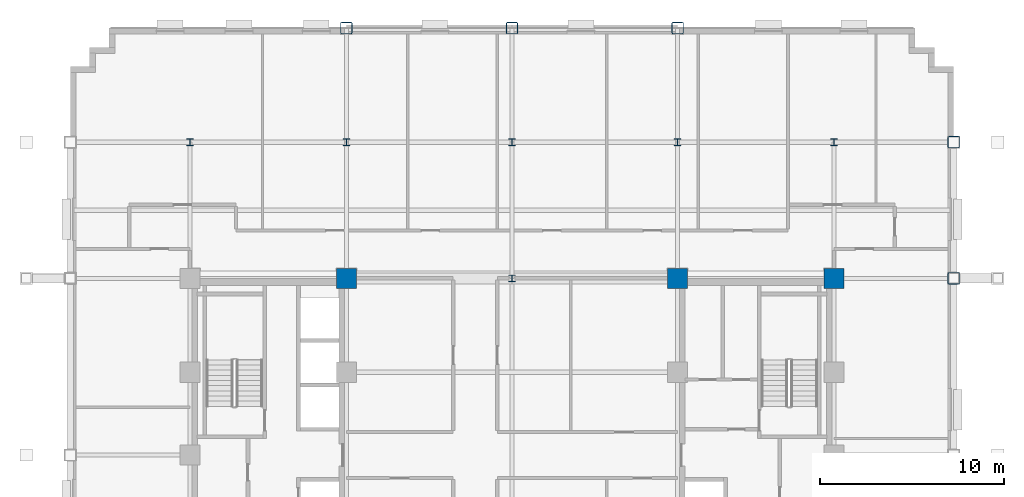
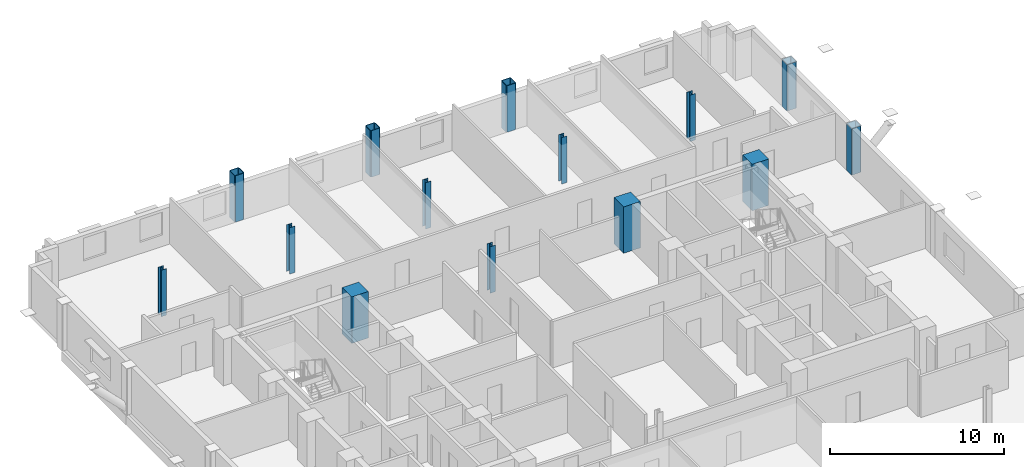
# One storey, part 3 of 14: 14 columns.
"""IFC4 building model written with IfcOpenShell, lengths in metres."""

from ifc_helpers import new_model, si_unit, direction, frame, origin, origin_2d, place, context, subcontext, project, spatial, rectangle, hollow_rectangle, i_section, extrude, material, material_profile, profile_set, type_object, element, save


model = new_model("IFC4")

# Units and contexts
model_context = context("Model", 3, precision=1e-05, world=origin(), true_north=direction((0.0, 1.0)))
body_context = subcontext(model_context, "Body", "Model", "MODEL_VIEW")
ifc_project = project(units=[si_unit("LENGTHUNIT", "METRE"), si_unit("AREAUNIT", "SQUARE_METRE"), si_unit("VOLUMEUNIT", "CUBIC_METRE"), si_unit("PLANEANGLEUNIT", "RADIAN"), si_unit("MASSUNIT", "GRAM", prefix="KILO")], contexts=[model_context])

# Site, building, storey
site_placement = place(None, origin())
site = spatial("IfcSite", under=ifc_project, at=site_placement, CompositionType="ELEMENT")
building_placement = place(site_placement, origin())
building = spatial("IfcBuilding", under=site, at=building_placement, Name="Nuvemarco Arch Tower", CompositionType="ELEMENT")
storey_placement = place(building_placement, frame((0.0, 0.0, 112.89990234375)))
storey = spatial("IfcBuildingStorey", under=building, at=storey_placement, Name="L29", CompositionType="ELEMENT", Elevation=112.89990234375)

# Columns
ifc_material_1 = material(Name="Concrete C60/75", Category="concrete")
ifc_material_profile_1 = material_profile(ifc_material_1, rectangle(XDim=1.10009765625, YDim=1.10009765625, at=origin_2d()), Name="RC-COL-1100x1100")
ifc_profile_set_1 = profile_set([ifc_material_profile_1], Name="Concrete C60/75")
column_type_1 = type_object("IfcColumnType", Name="COL-CORE-1100", PredefinedType="COLUMN", material=ifc_profile_set_1)
for number, where, z_axis, x_axis, name in (
    (1, (-9.0, 9.60009765625, 0.0), (0.0, 0.0, 1.0), (1.0, 0.0, 0.0), "L29 column CC_-9.0_+9.6"),
    (2, (9.0, 9.60009765625, 0.0), (0.0, 0.0, 1.0), (1.0, 0.0, 0.0), "L29 column CC_+9.0_+9.6"),
    (3, (17.5, 9.60009765625, 0.0), (0.0, 0.0, 1.0), (1.0, 0.0, 0.0), "L29 column CC_+17.5_+9.6"),
):
    element("IfcColumn", number, at=place(storey_placement, frame(where, z_axis=z_axis, x_axis=x_axis)), inside=storey, type_object=column_type_1, Name=name, PredefinedType="COLUMN", context=body_context, shape_type="SweptSolid", body=[
        extrude(rectangle(XDim=1.10009765625, YDim=1.10009765625, at=origin_2d()), origin(), (0.0, 0.0, 1.0), 3.25),
    ])
ifc_material_2 = material(Name="Steel S355", Category="steel")
ifc_material_profile_2 = material_profile(ifc_material_2, hollow_rectangle(XDim=0.64990234375, YDim=0.64990234375, WallThickness=0.0400390625, InnerFilletRadius=0.0400390625, OuterFilletRadius=0.080078125, at=origin_2d()), Name="SHS650x650x40")
ifc_profile_set_2 = profile_set([ifc_material_profile_2], Name="Steel S355")
column_type_2 = type_object("IfcColumnType", Name="COL-EXO-650", PredefinedType="COLUMN", material=ifc_profile_set_2)
for number, where, z_axis, x_axis, name in (
    (4, (24.0, 9.60009765625, 0.0), (0.0, 0.0, 1.0), (1.0, 0.0, 0.0), "L29 column CX_+24.0_+9.6"),
    (5, (24.0, 17.0, 0.0), (0.0, 0.0, 1.0), (1.0, 0.0, 0.0), "L29 column CX_+24.0_+17.0"),
    (6, (-9.0, 23.199951171875, 0.0), (0.0, 0.0, 1.0), (1.0, 0.0, 0.0), "L29 column CY_-9.0_+23.2"),
    (7, (0.0, 23.199951171875, 0.0), (0.0, 0.0, 1.0), (1.0, 0.0, 0.0), "L29 column CY_+0.0_+23.2"),
    (8, (9.0, 23.199951171875, 0.0), (0.0, 0.0, 1.0), (1.0, 0.0, 0.0), "L29 column CY_+9.0_+23.2"),
):
    element("IfcColumn", number, at=place(storey_placement, frame(where, z_axis=z_axis, x_axis=x_axis)), inside=storey, type_object=column_type_2, Name=name, PredefinedType="COLUMN", context=body_context, shape_type="SweptSolid", body=[
        extrude(hollow_rectangle(XDim=0.64990234375, YDim=0.64990234375, WallThickness=0.0400390625, InnerFilletRadius=0.0400390625, OuterFilletRadius=0.080078125, at=origin_2d()), origin(), (0.0, 0.0, 1.0), 3.25),
    ])
ifc_material_profile_3 = material_profile(ifc_material_2, i_section(OverallWidth=0.360107421875, OverallDepth=0.360107421875, WebThickness=0.0205078125, FlangeThickness=0.0205078125, FilletRadius=0.01806640625, at=origin_2d()), Name="HP360x174")
ifc_profile_set_3 = profile_set([ifc_material_profile_3], Name="Steel S355")
column_type_3 = type_object("IfcColumnType", Name="COL-STL-HP360", PredefinedType="COLUMN", material=ifc_profile_set_3)
for number, where, z_axis, x_axis, name in (
    (9, (0.0, 9.60009765625, 0.0), (0.0, 0.0, 1.0), (1.0, 0.0, 0.0), "L29 column CI_+0.0_+9.6"),
    (10, (0.0, 17.0, 0.0), (0.0, 0.0, 1.0), (1.0, 0.0, 0.0), "L29 column CI_+0.0_+17.0"),
    (11, (-17.5, 17.0, 0.0), (0.0, 0.0, 1.0), (1.0, 0.0, 0.0), "L29 column CI_-17.5_+17.0"),
    (12, (-9.0, 17.0, 0.0), (0.0, 0.0, 1.0), (1.0, 0.0, 0.0), "L29 column CI_-9.0_+17.0"),
    (13, (9.0, 17.0, 0.0), (0.0, 0.0, 1.0), (1.0, 0.0, 0.0), "L29 column CI_+9.0_+17.0"),
    (14, (17.5, 17.0, 0.0), (0.0, 0.0, 1.0), (1.0, 0.0, 0.0), "L29 column CI_+17.5_+17.0"),
):
    element("IfcColumn", number, at=place(storey_placement, frame(where, z_axis=z_axis, x_axis=x_axis)), inside=storey, type_object=column_type_3, Name=name, PredefinedType="COLUMN", context=body_context, shape_type="SweptSolid", body=[
        extrude(i_section(OverallWidth=0.360107421875, OverallDepth=0.360107421875, WebThickness=0.0205078125, FlangeThickness=0.0205078125, FilletRadius=0.01806640625, at=origin_2d()), origin(), (0.0, 0.0, 1.0), 3.25),
    ])

save(model, "model.ifc")
